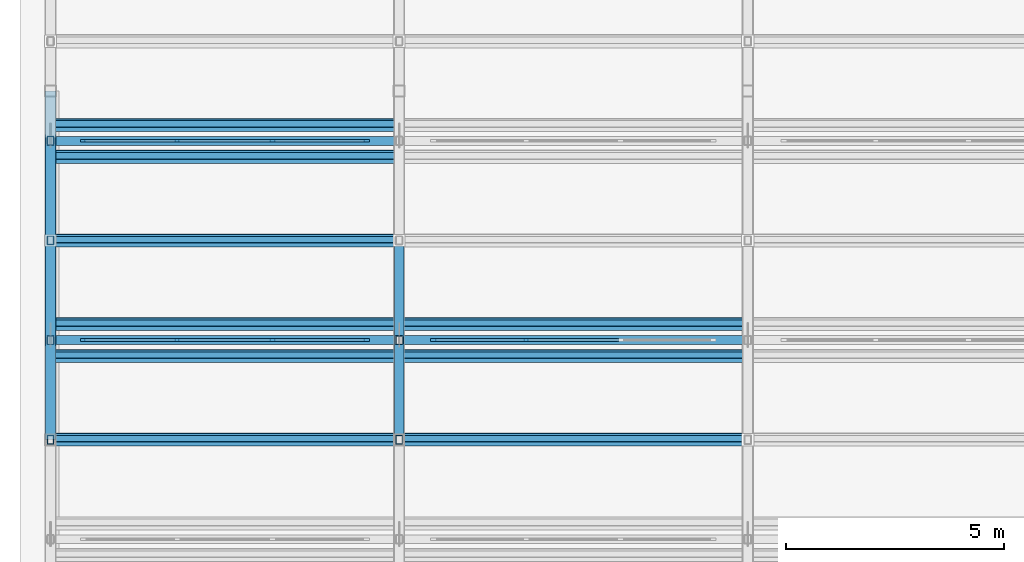
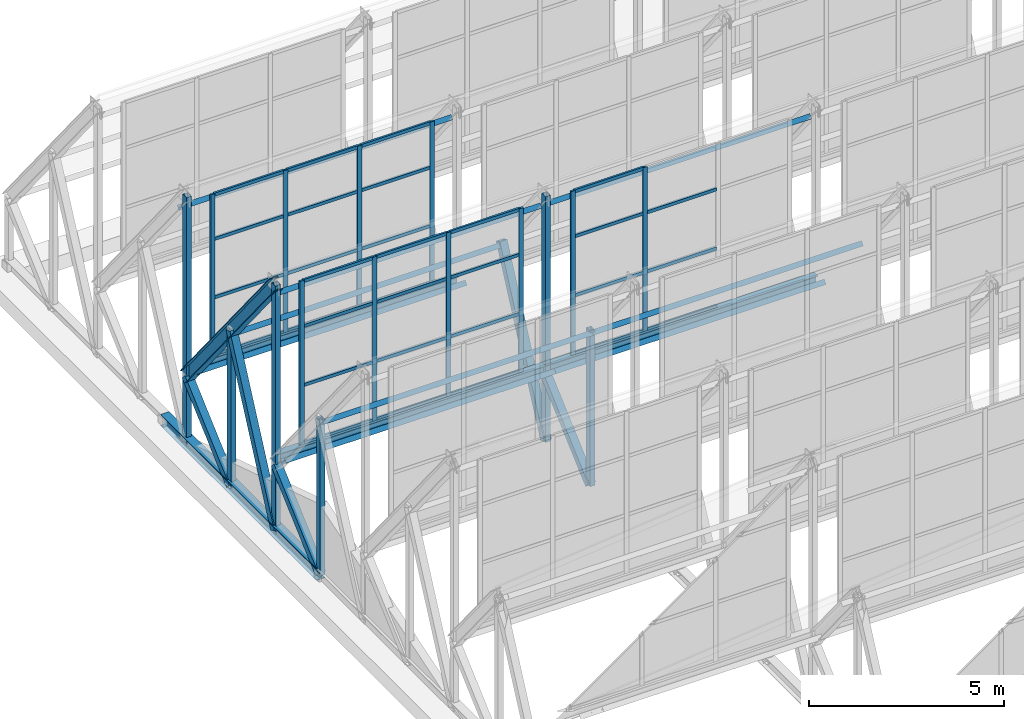
# One storey, part 13 of 34: 62 members, 4 beams, 3 elements without a shape of their own.
"""IFC4 building model written with IfcOpenShell, lengths in metres."""

import ifcopenshell
import ifcopenshell.guid

model = None  # the IFC model being written
_history = None  # IfcOwnerHistory: only IFC2X3 demands one
_inside = {}  # id of a spatial element -> (the spatial element, [elements in it])
_under = {}  # id of a project, library or spatial element -> (it, [spatial elements below it])
_declared = {}  # id of a project -> (the project, [libraries it declares])
_typed = {}  # id of a type object -> (the type object, [elements of that type])
_made_of = {}  # id of a material, layer set ... -> (it, [elements and type objects made of it])


def new_model(schema):
    """Start an empty IFC model of exactly this schema.

    Asked for "IFC4X3", IfcOpenShell would pick the latest addendum, in which some entities
    have other attributes; the version numbers below select the first issue.
    IFC2X3 requires an IfcOwnerHistory on every rooted entity: one is made here for all.
    """
    global model, _history
    if schema == "IFC4X3":
        model = ifcopenshell.file(schema_version=(4, 3, 0, 0))
    else:
        model = ifcopenshell.file(schema=schema)
    _inside.clear()
    _under.clear()
    _declared.clear()
    _typed.clear()
    _made_of.clear()
    _history = None
    if model.schema == "IFC2X3":
        org = make("IfcOrganization", Name="unknown")
        user = make(
            "IfcPersonAndOrganization",
            ThePerson=make("IfcPerson", FamilyName="unknown"),
            TheOrganization=org,
        )
        app = make(
            "IfcApplication",
            ApplicationDeveloper=org,
            Version="unknown",
            ApplicationFullName="unknown",
            ApplicationIdentifier="unknown",
        )
        _history = make(
            "IfcOwnerHistory",
            OwningUser=user,
            OwningApplication=app,
            ChangeAction="ADDED",
            CreationDate=0,
        )
    return model


def make(cls, **values):
    """One entity of the class cls with the attributes given. An attribute that is None is left unset."""
    return model.create_entity(
        cls, **{name: value for name, value in values.items() if value is not None}
    )


def rooted(cls, **values):
    """An entity with a GlobalId (a new one), such as an element, a storey or a relation."""
    return make(cls, GlobalId=ifcopenshell.guid.new(), OwnerHistory=_history, **values)


def si_unit(unit_type, name, prefix=None):
    """IfcSIUnit, for example si_unit("LENGTHUNIT", "METRE", prefix="MILLI")."""
    return make("IfcSIUnit", UnitType=unit_type, Prefix=prefix, Name=name)


def assignment(units):
    """IfcUnitAssignment: the units of a project."""
    return None if units is None else make("IfcUnitAssignment", Units=units)


def point(xyz):
    """IfcCartesianPoint."""
    return None if xyz is None else make("IfcCartesianPoint", Coordinates=xyz)


def direction(xyz):
    """IfcDirection."""
    return None if xyz is None else make("IfcDirection", DirectionRatios=xyz)


def frame(location, z_axis=None, x_axis=None):
    """IfcAxis2Placement3D, a coordinate frame: its origin and axes. An axis left out is left unset."""
    return make(
        "IfcAxis2Placement3D",
        Location=point(location),
        Axis=direction(z_axis),
        RefDirection=direction(x_axis),
    )


def frame_2d(location, x_axis=None):
    """IfcAxis2Placement2D, a coordinate frame in the plane: its origin and x axis."""
    return make(
        "IfcAxis2Placement2D", Location=point(location), RefDirection=direction(x_axis)
    )


def origin():
    """The frame at (0, 0, 0) with its axes left unset."""
    return frame((0.0, 0.0, 0.0))


def origin_2d():
    """The frame at (0, 0) in the plane with its x axis left unset."""
    return frame_2d((0.0, 0.0))


def place(relative_to, where):
    """IfcLocalPlacement: puts the frame where relative to a parent placement (None: the world)."""
    return make(
        "IfcLocalPlacement", PlacementRelTo=relative_to, RelativePlacement=where
    )


def context(
    kind, dimensions, precision=None, world=None, true_north=None, identifier=None
):
    """IfcGeometricRepresentationContext, for example the 3D "Model" context."""
    return make(
        "IfcGeometricRepresentationContext",
        ContextIdentifier=identifier,
        ContextType=kind,
        CoordinateSpaceDimension=dimensions,
        Precision=precision,
        WorldCoordinateSystem=world,
        TrueNorth=true_north,
    )


def subcontext(parent, identifier, kind, view, scale=None):
    """IfcGeometricRepresentationSubContext, for example "Body" below "Model"."""
    return make(
        "IfcGeometricRepresentationSubContext",
        ContextIdentifier=identifier,
        ContextType=kind,
        ParentContext=parent,
        TargetScale=scale,
        TargetView=view,
    )


def project(units=None, contexts=None):
    """IfcProject with its units and contexts."""
    return rooted(
        "IfcProject",
        Name="project",
        RepresentationContexts=contexts,
        UnitsInContext=assignment(units),
    )


def spatial(cls, under=None, at=None, **own):
    """A site, building, storey or space (cls), placed at a placement, below another one or the project."""
    s = rooted(cls, ObjectPlacement=at, **own)
    if under is not None:
        _under.setdefault(under.id(), (under, []))[1].append(s)
    return s


def profile(cls, at=None, kind="AREA", **sizes):
    """A parametric profile (cls). Its sizes go by their IFC names, for example OverallWidth=200.0."""
    return make(cls, ProfileType=kind, Position=at, **sizes)


def rectangle(**sizes):
    """IfcRectangleProfileDef."""
    return profile("IfcRectangleProfileDef", **sizes)


def hollow_rectangle(**sizes):
    """IfcRectangleHollowProfileDef."""
    return profile("IfcRectangleHollowProfileDef", **sizes)


def i_section(**sizes):
    """IfcIShapeProfileDef."""
    return profile("IfcIShapeProfileDef", **sizes)


def extrude(swept, where, along, depth):
    """IfcExtrudedAreaSolid: the profile swept, set in the frame where, extruded along a direction by depth."""
    return make(
        "IfcExtrudedAreaSolid",
        SweptArea=swept,
        Position=where,
        ExtrudedDirection=direction(along),
        Depth=depth,
    )


def shape(context_of_items, identifier, shape_type, items):
    """IfcShapeRepresentation: the items that make up one representation, for example the "Body"."""
    return make(
        "IfcShapeRepresentation",
        ContextOfItems=context_of_items,
        RepresentationIdentifier=identifier,
        RepresentationType=shape_type,
        Items=items,
    )


def material(Name=None, Category=None):
    """IfcMaterial."""
    return make("IfcMaterial", Name=Name, Category=Category)


def layer(
    of_material, thickness, ventilated=None, Name=None, Category=None, Priority=None
):
    """IfcMaterialLayer: one layer of a wall or slab, of a material (None: an air gap)."""
    return make(
        "IfcMaterialLayer",
        Material=of_material,
        LayerThickness=thickness,
        IsVentilated=ventilated,
        Name=Name,
        Category=Category,
        Priority=Priority,
    )


def layer_set(layers, Name=None):
    """IfcMaterialLayerSet."""
    return make("IfcMaterialLayerSet", MaterialLayers=layers, LayerSetName=Name)


def material_profile(
    of_material, cross_section, Name=None, Category=None, Priority=None
):
    """IfcMaterialProfile: a cross section and its material."""
    return make(
        "IfcMaterialProfile",
        Name=Name,
        Material=of_material,
        Profile=cross_section,
        Priority=Priority,
        Category=Category,
    )


def profile_set(profiles, Name=None, composite=None):
    """IfcMaterialProfileSet."""
    return make(
        "IfcMaterialProfileSet",
        Name=Name,
        MaterialProfiles=profiles,
        CompositeProfile=composite,
    )


def made_of(thing, what):
    """Note that an element or type object is made of a material, layer set ...; save() writes the relation."""
    if what is not None:
        _made_of.setdefault(what.id(), (what, []))[1].append(thing)
    return thing


def type_object(cls, material=None, **own):
    """A type object (cls), such as IfcWallType, which elements share."""
    return made_of(rooted(cls, **own), material)


def element(
    cls,
    number,
    at=None,
    inside=None,
    cuts=None,
    type_object=None,
    material=None,
    context=None,
    identifier="Body",
    shape_type=None,
    held_by="IfcProductDefinitionShape",
    body=None,
    shapes=None,
    **own,
):
    """One element of the class cls, such as IfcWall. Its Tag is "e" and its number.

    at: its placement. inside: the storey or other place that contains it. cuts: it is an
    opening in that element (IfcRelVoidsElement). A single representation is given by context,
    identifier, shape_type and body (its items); several are given by shapes. held_by: the class
    of the entity that holds the representations. save() writes the other relations.
    """
    e = rooted(cls, Tag="e%d" % number, ObjectPlacement=at, **own)
    if body is not None:
        shapes = [shape(context, identifier, shape_type, body)]
    if shapes is not None:
        e.Representation = make(held_by, Representations=shapes)
    if inside is not None:
        _inside.setdefault(inside.id(), (inside, []))[1].append(e)
    if cuts is not None:
        rooted(
            "IfcRelVoidsElement", RelatingBuildingElement=cuts, RelatedOpeningElement=e
        )
    if type_object is not None:
        _typed.setdefault(type_object.id(), (type_object, []))[1].append(e)
    return made_of(e, material)


def aggregate(whole, parts):
    """IfcRelAggregates: a whole, such as a stair, and the parts it consists of."""
    return rooted("IfcRelAggregates", RelatingObject=whole, RelatedObjects=parts)


def save(model, path):
    """Write the relations noted so far, then the file.

    IfcRelAggregates (storeys below a building ...), IfcRelContainedInSpatialStructure (elements
    in a storey), IfcRelDefinesByType, IfcRelAssociatesMaterial and IfcRelDeclares: one each for
    every whole, place, type object, material and project.
    """
    for whole, parts in _under.values():
        aggregate(whole, parts)
    for where, things in _inside.values():
        rooted(
            "IfcRelContainedInSpatialStructure",
            RelatedElements=things,
            RelatingStructure=where,
        )
    for kind, things in _typed.values():
        rooted("IfcRelDefinesByType", RelatedObjects=things, RelatingType=kind)
    for what, things in _made_of.values():
        rooted("IfcRelAssociatesMaterial", RelatedObjects=things, RelatingMaterial=what)
    for by, libraries in _declared.values():
        rooted("IfcRelDeclares", RelatingContext=by, RelatedDefinitions=libraries)
    model.write(path)


model = new_model("IFC4")

# Units and contexts
model_context = context("Model", 3, precision=1e-05, world=origin(), true_north=direction((0.0, 1.0)))
body_context = subcontext(model_context, "Body", "Model", "MODEL_VIEW")
ifc_project = project(units=[si_unit("LENGTHUNIT", "METRE"), si_unit("AREAUNIT", "SQUARE_METRE"), si_unit("VOLUMEUNIT", "CUBIC_METRE"), si_unit("PLANEANGLEUNIT", "RADIAN"), si_unit("MASSUNIT", "GRAM", prefix="KILO")], contexts=[model_context])

# Site, building, storey
site_placement = place(None, origin())
site = spatial("IfcSite", under=ifc_project, at=site_placement, CompositionType="ELEMENT")
building_placement = place(site_placement, origin())
building = spatial("IfcBuilding", under=site, at=building_placement, Name="Qorikala Patio Media Centre", CompositionType="ELEMENT")
storey_placement = place(building_placement, frame((0.0, 0.0, 32.699951171875)))
storey = spatial("IfcBuildingStorey", under=building, at=storey_placement, Name="RF", CompositionType="ELEMENT", Elevation=32.699951171875)

# Members
ifc_material_1 = material(Name="Steel S355", Category="steel")
ifc_material_profile_1 = material_profile(ifc_material_1, hollow_rectangle(XDim=0.219970703125, YDim=0.219970703125, WallThickness=0.010009765625, at=origin_2d()), Name="HSS220X220X10")
ifc_profile_set_1 = profile_set([ifc_material_profile_1], Name="Steel S355")
member_type_1 = type_object("IfcMemberType", Name="BRACE-HSS220", PredefinedType="BRACE", material=ifc_profile_set_1)
member_1_placement = place(storey_placement, frame((3.0, 19.0, 0.35009765625), z_axis=(0.0, 0.744431778243, 0.667698530432), x_axis=(-1.0, 0.0, 0.0)))
element("IfcMember", 1, at=member_1_placement, inside=storey, type_object=member_type_1, Name="SAW-V1 Truss 1 Bay 4 Web Diagonal 2", PredefinedType="BRACE", context=body_context, shape_type="SweptSolid", body=[
    extrude(hollow_rectangle(XDim=0.219970703125, YDim=0.219970703125, WallThickness=0.010009765625, at=origin_2d()), origin(), (0.0, 0.0, 1.0), 3.0703125),
])
member_2_placement = place(storey_placement, frame((3.0, 21.28564453125, 0.35009765625), z_axis=(0.0, 0.424508225487, 0.905424081022), x_axis=(-1.0, 0.0, 0.0)))
element("IfcMember", 2, at=member_2_placement, inside=storey, type_object=member_type_1, Name="SAW-V1 Truss 1 Bay 5 Web Diagonal 1", PredefinedType="BRACE", context=body_context, shape_type="SweptSolid", body=[
    extrude(hollow_rectangle(XDim=0.219970703125, YDim=0.219970703125, WallThickness=0.010009765625, at=origin_2d()), origin(), (0.0, 0.0, 1.0), 5.38427734375),
])
member_3_placement = place(storey_placement, frame((3.0, 23.5712890625, 0.35009765625), z_axis=(0.0, 0.744467225167, 0.667659007767), x_axis=(-1.0, 0.0, 0.0)))
element("IfcMember", 3, at=member_3_placement, inside=storey, type_object=member_type_1, Name="SAW-V1 Truss 1 Bay 5 Web Diagonal 2", PredefinedType="BRACE", context=body_context, shape_type="SweptSolid", body=[
    extrude(hollow_rectangle(XDim=0.219970703125, YDim=0.219970703125, WallThickness=0.010009765625, at=origin_2d()), origin(), (0.0, 0.0, 1.0), 3.070556640625),
])
member_4_placement = place(storey_placement, frame((11.0, 19.0, 0.35009765625), z_axis=(0.0, 0.744431778243, 0.667698530432), x_axis=(-1.0, 0.0, 0.0)))
element("IfcMember", 4, at=member_4_placement, inside=storey, type_object=member_type_1, Name="SAW-V1 Truss 2 Bay 4 Web Diagonal 2", PredefinedType="BRACE", context=body_context, shape_type="SweptSolid", body=[
    extrude(hollow_rectangle(XDim=0.219970703125, YDim=0.219970703125, WallThickness=0.010009765625, at=origin_2d()), origin(), (0.0, 0.0, 1.0), 3.0703125),
])
member_5_placement = place(storey_placement, frame((11.0, 21.28564453125, 0.35009765625), z_axis=(0.0, 0.424508225487, 0.905424081022), x_axis=(-1.0, 0.0, 0.0)))
element("IfcMember", 5, at=member_5_placement, inside=storey, type_object=member_type_1, Name="SAW-V1 Truss 2 Bay 5 Web Diagonal 1", PredefinedType="BRACE", context=body_context, shape_type="SweptSolid", body=[
    extrude(hollow_rectangle(XDim=0.219970703125, YDim=0.219970703125, WallThickness=0.010009765625, at=origin_2d()), origin(), (0.0, 0.0, 1.0), 5.38427734375),
])
ifc_material_profile_2 = material_profile(ifc_material_1, i_section(OverallWidth=0.257080078125, OverallDepth=0.363037109375, WebThickness=0.012939453125, FlangeThickness=0.021728515625, at=origin_2d()), Name="W360X122")
ifc_profile_set_2 = profile_set([ifc_material_profile_2], Name="Steel S355")
member_type_2 = type_object("IfcMemberType", Name="CHORD-W360X122", PredefinedType="CHORD", material=ifc_profile_set_2)
member_6_placement = place(storey_placement, frame((3.0, 21.28564453125, 8.050048828125), z_axis=(0.0, 0.629015570493, -0.777392701327), x_axis=(-1.0, 0.0, 0.0)))
element("IfcMember", 6, at=member_6_placement, inside=storey, type_object=member_type_2, Name="SAW-V1 Truss 1 Bay 5 Sloped Top Chord", PredefinedType="CHORD", context=body_context, shape_type="SweptSolid", body=[
    extrude(i_section(OverallWidth=0.257080078125, OverallDepth=0.363037109375, WebThickness=0.012939453125, FlangeThickness=0.021728515625, at=origin_2d()), origin(), (0.0, 0.0, 1.0), 7.267822265625),
])

# Curtain wall, members
ifc_material_2 = material(Name="Bronze Anodised Aluminium and Low-E Glass", Category="aluminium")
ifc_layer_1 = layer(ifc_material_2, 0.159912109375)
ifc_layer_set_1 = layer_set([ifc_layer_1], Name="Bronze Anodised Aluminium and Low-E Glass")
curtain_wall_type_1 = type_object("IfcCurtainWallType", Name="CW-SAW-656X514", PredefinedType="USERDEFINED", material=ifc_layer_set_1)
curtain_wall_1_placement = place(storey_placement, origin())
curtain_wall_1 = element("IfcCurtainWall", 7, at=curtain_wall_1_placement, inside=storey, type_object=curtain_wall_type_1, Name="RF Sawtooth Glazing 127", ObjectType="SAWTOOTH GLAZING", PredefinedType="USERDEFINED")
ifc_material_3 = material(Name="Bronze Anodised Aluminium", Category="aluminium")
ifc_material_profile_3 = material_profile(ifc_material_3, rectangle(XDim=0.06005859375, YDim=0.1298828125, at=origin_2d()), Name="ALU MULLION 60x130")
ifc_profile_set_3 = profile_set([ifc_material_profile_3], Name="Bronze Anodised Aluminium")
member_type_3 = type_object("IfcMemberType", Name="CWM-60X130", PredefinedType="MULLION", material=ifc_profile_set_3)
member_7_placement = place(storey_placement, frame((3.75, 21.28564453125, 2.75), z_axis=(0.0, 0.0, 1.0), x_axis=(0.0, 1.0, 0.0)))
member_7 = element("IfcMember", 8, at=member_7_placement, type_object=member_type_3, Name="CWS656514 mullion 1", PredefinedType="MULLION", context=body_context, shape_type="SweptSolid", body=[
    extrude(rectangle(XDim=0.06005859375, YDim=0.1298828125, at=origin_2d()), origin(), (0.0, 0.0, 1.0), 5.14013671875),
])
member_8_placement = place(storey_placement, frame((5.90673828125, 21.28564453125, 2.75), z_axis=(0.0, 0.0, 1.0), x_axis=(0.0, 1.0, 0.0)))
member_8 = element("IfcMember", 9, at=member_8_placement, type_object=member_type_3, Name="CWS656514 mullion 2", PredefinedType="MULLION", context=body_context, shape_type="SweptSolid", body=[
    extrude(rectangle(XDim=0.06005859375, YDim=0.1298828125, at=origin_2d()), origin(), (0.0, 0.0, 1.0), 5.14013671875),
])
member_9_placement = place(storey_placement, frame((8.09326171875, 21.28564453125, 2.75), z_axis=(0.0, 0.0, 1.0), x_axis=(0.0, 1.0, 0.0)))
member_9 = element("IfcMember", 10, at=member_9_placement, type_object=member_type_3, Name="CWS656514 mullion 3", PredefinedType="MULLION", context=body_context, shape_type="SweptSolid", body=[
    extrude(rectangle(XDim=0.06005859375, YDim=0.1298828125, at=origin_2d()), origin(), (0.0, 0.0, 1.0), 5.14013671875),
])
member_10_placement = place(storey_placement, frame((10.25, 21.28564453125, 2.75), z_axis=(0.0, 0.0, 1.0), x_axis=(0.0, 1.0, 0.0)))
member_10 = element("IfcMember", 11, at=member_10_placement, type_object=member_type_3, Name="CWS656514 mullion 4", PredefinedType="MULLION", context=body_context, shape_type="SweptSolid", body=[
    extrude(rectangle(XDim=0.06005859375, YDim=0.1298828125, at=origin_2d()), origin(), (0.0, 0.0, 1.0), 5.14013671875),
])

ifc_layer_2 = layer(ifc_material_2, 0.159912109375)
ifc_layer_set_2 = layer_set([ifc_layer_2], Name="Bronze Anodised Aluminium and Low-E Glass")
curtain_wall_type_2 = type_object("IfcCurtainWallType", Name="CW-SAW-648X514", PredefinedType="USERDEFINED", material=ifc_layer_set_2)
curtain_wall_2_placement = place(storey_placement, origin())
curtain_wall_2 = element("IfcCurtainWall", 12, at=curtain_wall_2_placement, inside=storey, type_object=curtain_wall_type_2, Name="RF Sawtooth Glazing 128", ObjectType="SAWTOOTH GLAZING", PredefinedType="USERDEFINED")
member_11_placement = place(storey_placement, frame((11.7900390625, 21.28564453125, 2.75), z_axis=(0.0, 0.0, 1.0), x_axis=(0.0, 1.0, 0.0)))
member_11 = element("IfcMember", 13, at=member_11_placement, type_object=member_type_3, Name="CWS648514 mullion 1", PredefinedType="MULLION", context=body_context, shape_type="SweptSolid", body=[
    extrude(rectangle(XDim=0.06005859375, YDim=0.1298828125, at=origin_2d()), origin(), (0.0, 0.0, 1.0), 5.14013671875),
])
member_12_placement = place(storey_placement, frame((13.919921875, 21.28564453125, 2.75), z_axis=(0.0, 0.0, 1.0), x_axis=(0.0, 1.0, 0.0)))
member_12 = element("IfcMember", 14, at=member_12_placement, type_object=member_type_3, Name="CWS648514 mullion 2", PredefinedType="MULLION", context=body_context, shape_type="SweptSolid", body=[
    extrude(rectangle(XDim=0.06005859375, YDim=0.1298828125, at=origin_2d()), origin(), (0.0, 0.0, 1.0), 5.14013671875),
])

ifc_layer_3 = layer(ifc_material_2, 0.159912109375)
ifc_layer_set_3 = layer_set([ifc_layer_3], Name="Bronze Anodised Aluminium and Low-E Glass")
curtain_wall_type_3 = type_object("IfcCurtainWallType", Name="CW-SAW-656X508", PredefinedType="USERDEFINED", material=ifc_layer_set_3)
curtain_wall_3_placement = place(storey_placement, origin())
curtain_wall_3 = element("IfcCurtainWall", 15, at=curtain_wall_3_placement, inside=storey, type_object=curtain_wall_type_3, Name="RF Sawtooth Glazing 132", ObjectType="SAWTOOTH GLAZING", PredefinedType="USERDEFINED")
member_13_placement = place(storey_placement, frame((3.75, 25.857177734375, 2.75), z_axis=(0.0, 0.0, 1.0), x_axis=(0.0, 1.0, 0.0)))
member_13 = element("IfcMember", 16, at=member_13_placement, type_object=member_type_3, Name="CWS656508 mullion 1", PredefinedType="MULLION", context=body_context, shape_type="SweptSolid", body=[
    extrude(rectangle(XDim=0.06005859375, YDim=0.1298828125, at=origin_2d()), origin(), (0.0, 0.0, 1.0), 5.080078125),
])
member_14_placement = place(storey_placement, frame((5.90673828125, 25.857177734375, 2.75), z_axis=(0.0, 0.0, 1.0), x_axis=(0.0, 1.0, 0.0)))
member_14 = element("IfcMember", 17, at=member_14_placement, type_object=member_type_3, Name="CWS656508 mullion 2", PredefinedType="MULLION", context=body_context, shape_type="SweptSolid", body=[
    extrude(rectangle(XDim=0.06005859375, YDim=0.1298828125, at=origin_2d()), origin(), (0.0, 0.0, 1.0), 5.080078125),
])
member_15_placement = place(storey_placement, frame((8.09326171875, 25.857177734375, 2.75), z_axis=(0.0, 0.0, 1.0), x_axis=(0.0, 1.0, 0.0)))
member_15 = element("IfcMember", 18, at=member_15_placement, type_object=member_type_3, Name="CWS656508 mullion 3", PredefinedType="MULLION", context=body_context, shape_type="SweptSolid", body=[
    extrude(rectangle(XDim=0.06005859375, YDim=0.1298828125, at=origin_2d()), origin(), (0.0, 0.0, 1.0), 5.080078125),
])
member_16_placement = place(storey_placement, frame((10.25, 25.857177734375, 2.75), z_axis=(0.0, 0.0, 1.0), x_axis=(0.0, 1.0, 0.0)))
member_16 = element("IfcMember", 19, at=member_16_placement, type_object=member_type_3, Name="CWS656508 mullion 4", PredefinedType="MULLION", context=body_context, shape_type="SweptSolid", body=[
    extrude(rectangle(XDim=0.06005859375, YDim=0.1298828125, at=origin_2d()), origin(), (0.0, 0.0, 1.0), 5.080078125),
])

# Member
ifc_material_profile_4 = material_profile(ifc_material_3, rectangle(XDim=0.06005859375, YDim=0.10009765625, at=origin_2d()), Name="ALU TRANSOM 60x100")
ifc_profile_set_4 = profile_set([ifc_material_profile_4], Name="Bronze Anodised Aluminium")
member_type_4 = type_object("IfcMemberType", Name="CWT-60X100", PredefinedType="USERDEFINED", material=ifc_profile_set_4)
member_17_placement = place(storey_placement, frame((3.780029296875, 21.28564453125, 2.780029296875), z_axis=(1.0, 0.0, 0.0), x_axis=(0.0, 1.0, 0.0)))
member_17 = element("IfcMember", 20, at=member_17_placement, type_object=member_type_4, Name="CWS656514 transom 1.1", ObjectType="TRANSOM", PredefinedType="USERDEFINED", context=body_context, shape_type="SweptSolid", body=[
    extrude(rectangle(XDim=0.06005859375, YDim=0.10009765625, at=origin_2d()), origin(), (0.0, 0.0, 1.0), 2.0966796875),
])

member_18_placement = place(storey_placement, frame((3.780029296875, 21.28564453125, 4.600341796875), z_axis=(1.0, 0.0, 0.0), x_axis=(0.0, 1.0, 0.0)))
member_18 = element("IfcMember", 21, at=member_18_placement, type_object=member_type_4, Name="CWS656514 transom 1.2", ObjectType="TRANSOM", PredefinedType="USERDEFINED", context=body_context, shape_type="SweptSolid", body=[
    extrude(rectangle(XDim=0.06005859375, YDim=0.10009765625, at=origin_2d()), origin(), (0.0, 0.0, 1.0), 2.0966796875),
])

member_19_placement = place(storey_placement, frame((3.780029296875, 21.28564453125, 6.450927734375), z_axis=(1.0, 0.0, 0.0), x_axis=(0.0, 1.0, 0.0)))
member_19 = element("IfcMember", 22, at=member_19_placement, type_object=member_type_4, Name="CWS656514 transom 1.3", ObjectType="TRANSOM", PredefinedType="USERDEFINED", context=body_context, shape_type="SweptSolid", body=[
    extrude(rectangle(XDim=0.06005859375, YDim=0.10009765625, at=origin_2d()), origin(), (0.0, 0.0, 1.0), 2.0966796875),
])

member_20_placement = place(storey_placement, frame((3.780029296875, 21.28564453125, 7.860107421875), z_axis=(1.0, 0.0, 0.0), x_axis=(0.0, 1.0, 0.0)))
member_20 = element("IfcMember", 23, at=member_20_placement, type_object=member_type_4, Name="CWS656514 transom 1.4", ObjectType="TRANSOM", PredefinedType="USERDEFINED", context=body_context, shape_type="SweptSolid", body=[
    extrude(rectangle(XDim=0.06005859375, YDim=0.10009765625, at=origin_2d()), origin(), (0.0, 0.0, 1.0), 2.0966796875),
])

member_21_placement = place(storey_placement, frame((5.936767578125, 21.28564453125, 2.780029296875), z_axis=(1.0, 0.0, 0.0), x_axis=(0.0, 1.0, 0.0)))
member_21 = element("IfcMember", 24, at=member_21_placement, type_object=member_type_4, Name="CWS656514 transom 2.1", ObjectType="TRANSOM", PredefinedType="USERDEFINED", context=body_context, shape_type="SweptSolid", body=[
    extrude(rectangle(XDim=0.06005859375, YDim=0.10009765625, at=origin_2d()), origin(), (0.0, 0.0, 1.0), 2.12646484375),
])

member_22_placement = place(storey_placement, frame((5.936767578125, 21.28564453125, 4.600341796875), z_axis=(1.0, 0.0, 0.0), x_axis=(0.0, 1.0, 0.0)))
member_22 = element("IfcMember", 25, at=member_22_placement, type_object=member_type_4, Name="CWS656514 transom 2.2", ObjectType="TRANSOM", PredefinedType="USERDEFINED", context=body_context, shape_type="SweptSolid", body=[
    extrude(rectangle(XDim=0.06005859375, YDim=0.10009765625, at=origin_2d()), origin(), (0.0, 0.0, 1.0), 2.12646484375),
])

member_23_placement = place(storey_placement, frame((5.936767578125, 21.28564453125, 6.450927734375), z_axis=(1.0, 0.0, 0.0), x_axis=(0.0, 1.0, 0.0)))
member_23 = element("IfcMember", 26, at=member_23_placement, type_object=member_type_4, Name="CWS656514 transom 2.3", ObjectType="TRANSOM", PredefinedType="USERDEFINED", context=body_context, shape_type="SweptSolid", body=[
    extrude(rectangle(XDim=0.06005859375, YDim=0.10009765625, at=origin_2d()), origin(), (0.0, 0.0, 1.0), 2.12646484375),
])

member_24_placement = place(storey_placement, frame((5.936767578125, 21.28564453125, 7.860107421875), z_axis=(1.0, 0.0, 0.0), x_axis=(0.0, 1.0, 0.0)))
member_24 = element("IfcMember", 27, at=member_24_placement, type_object=member_type_4, Name="CWS656514 transom 2.4", ObjectType="TRANSOM", PredefinedType="USERDEFINED", context=body_context, shape_type="SweptSolid", body=[
    extrude(rectangle(XDim=0.06005859375, YDim=0.10009765625, at=origin_2d()), origin(), (0.0, 0.0, 1.0), 2.12646484375),
])

member_25_placement = place(storey_placement, frame((8.123291015625, 21.28564453125, 2.780029296875), z_axis=(1.0, 0.0, 0.0), x_axis=(0.0, 1.0, 0.0)))
member_25 = element("IfcMember", 28, at=member_25_placement, type_object=member_type_4, Name="CWS656514 transom 3.1", ObjectType="TRANSOM", PredefinedType="USERDEFINED", context=body_context, shape_type="SweptSolid", body=[
    extrude(rectangle(XDim=0.06005859375, YDim=0.10009765625, at=origin_2d()), origin(), (0.0, 0.0, 1.0), 2.0966796875),
])

member_26_placement = place(storey_placement, frame((8.123291015625, 21.28564453125, 4.600341796875), z_axis=(1.0, 0.0, 0.0), x_axis=(0.0, 1.0, 0.0)))
member_26 = element("IfcMember", 29, at=member_26_placement, type_object=member_type_4, Name="CWS656514 transom 3.2", ObjectType="TRANSOM", PredefinedType="USERDEFINED", context=body_context, shape_type="SweptSolid", body=[
    extrude(rectangle(XDim=0.06005859375, YDim=0.10009765625, at=origin_2d()), origin(), (0.0, 0.0, 1.0), 2.0966796875),
])

member_27_placement = place(storey_placement, frame((8.123291015625, 21.28564453125, 6.450927734375), z_axis=(1.0, 0.0, 0.0), x_axis=(0.0, 1.0, 0.0)))
member_27 = element("IfcMember", 30, at=member_27_placement, type_object=member_type_4, Name="CWS656514 transom 3.3", ObjectType="TRANSOM", PredefinedType="USERDEFINED", context=body_context, shape_type="SweptSolid", body=[
    extrude(rectangle(XDim=0.06005859375, YDim=0.10009765625, at=origin_2d()), origin(), (0.0, 0.0, 1.0), 2.0966796875),
])

member_28_placement = place(storey_placement, frame((8.123291015625, 21.28564453125, 7.860107421875), z_axis=(1.0, 0.0, 0.0), x_axis=(0.0, 1.0, 0.0)))
member_28 = element("IfcMember", 31, at=member_28_placement, type_object=member_type_4, Name="CWS656514 transom 3.4", ObjectType="TRANSOM", PredefinedType="USERDEFINED", context=body_context, shape_type="SweptSolid", body=[
    extrude(rectangle(XDim=0.06005859375, YDim=0.10009765625, at=origin_2d()), origin(), (0.0, 0.0, 1.0), 2.0966796875),
])

aggregate(curtain_wall_1, [member_7, member_8, member_9, member_10, member_17, member_18, member_19, member_20, member_21, member_22, member_23, member_24, member_25, member_26, member_27, member_28])

member_29_placement = place(storey_placement, frame((11.820068359375, 21.28564453125, 2.780029296875), z_axis=(1.0, 0.0, 0.0), x_axis=(0.0, 1.0, 0.0)))
member_29 = element("IfcMember", 32, at=member_29_placement, type_object=member_type_4, Name="CWS648514 transom 1.1", ObjectType="TRANSOM", PredefinedType="USERDEFINED", context=body_context, shape_type="SweptSolid", body=[
    extrude(rectangle(XDim=0.06005859375, YDim=0.10009765625, at=origin_2d()), origin(), (0.0, 0.0, 1.0), 2.06982421875),
])

member_30_placement = place(storey_placement, frame((11.820068359375, 21.28564453125, 4.600341796875), z_axis=(1.0, 0.0, 0.0), x_axis=(0.0, 1.0, 0.0)))
member_30 = element("IfcMember", 33, at=member_30_placement, type_object=member_type_4, Name="CWS648514 transom 1.2", ObjectType="TRANSOM", PredefinedType="USERDEFINED", context=body_context, shape_type="SweptSolid", body=[
    extrude(rectangle(XDim=0.06005859375, YDim=0.10009765625, at=origin_2d()), origin(), (0.0, 0.0, 1.0), 2.06982421875),
])

member_31_placement = place(storey_placement, frame((11.820068359375, 21.28564453125, 6.450927734375), z_axis=(1.0, 0.0, 0.0), x_axis=(0.0, 1.0, 0.0)))
member_31 = element("IfcMember", 34, at=member_31_placement, type_object=member_type_4, Name="CWS648514 transom 1.3", ObjectType="TRANSOM", PredefinedType="USERDEFINED", context=body_context, shape_type="SweptSolid", body=[
    extrude(rectangle(XDim=0.06005859375, YDim=0.10009765625, at=origin_2d()), origin(), (0.0, 0.0, 1.0), 2.06982421875),
])

member_32_placement = place(storey_placement, frame((11.820068359375, 21.28564453125, 7.860107421875), z_axis=(1.0, 0.0, 0.0), x_axis=(0.0, 1.0, 0.0)))
member_32 = element("IfcMember", 35, at=member_32_placement, type_object=member_type_4, Name="CWS648514 transom 1.4", ObjectType="TRANSOM", PredefinedType="USERDEFINED", context=body_context, shape_type="SweptSolid", body=[
    extrude(rectangle(XDim=0.06005859375, YDim=0.10009765625, at=origin_2d()), origin(), (0.0, 0.0, 1.0), 2.06982421875),
])

member_33_placement = place(storey_placement, frame((13.949951171875, 21.28564453125, 2.780029296875), z_axis=(1.0, 0.0, 0.0), x_axis=(0.0, 1.0, 0.0)))
member_33 = element("IfcMember", 36, at=member_33_placement, type_object=member_type_4, Name="CWS648514 transom 2.1", ObjectType="TRANSOM", PredefinedType="USERDEFINED", context=body_context, shape_type="SweptSolid", body=[
    extrude(rectangle(XDim=0.06005859375, YDim=0.10009765625, at=origin_2d()), origin(), (0.0, 0.0, 1.0), 2.10009765625),
])

member_34_placement = place(storey_placement, frame((13.949951171875, 21.28564453125, 4.600341796875), z_axis=(1.0, 0.0, 0.0), x_axis=(0.0, 1.0, 0.0)))
member_34 = element("IfcMember", 37, at=member_34_placement, type_object=member_type_4, Name="CWS648514 transom 2.2", ObjectType="TRANSOM", PredefinedType="USERDEFINED", context=body_context, shape_type="SweptSolid", body=[
    extrude(rectangle(XDim=0.06005859375, YDim=0.10009765625, at=origin_2d()), origin(), (0.0, 0.0, 1.0), 2.10009765625),
])

member_35_placement = place(storey_placement, frame((13.949951171875, 21.28564453125, 6.450927734375), z_axis=(1.0, 0.0, 0.0), x_axis=(0.0, 1.0, 0.0)))
member_35 = element("IfcMember", 38, at=member_35_placement, type_object=member_type_4, Name="CWS648514 transom 2.3", ObjectType="TRANSOM", PredefinedType="USERDEFINED", context=body_context, shape_type="SweptSolid", body=[
    extrude(rectangle(XDim=0.06005859375, YDim=0.10009765625, at=origin_2d()), origin(), (0.0, 0.0, 1.0), 2.10009765625),
])

aggregate(curtain_wall_2, [member_11, member_12, member_29, member_30, member_31, member_32, member_33, member_34, member_35])

member_36_placement = place(storey_placement, frame((3.780029296875, 25.857177734375, 2.780029296875), z_axis=(1.0, 0.0, 0.0), x_axis=(0.0, 1.0, 0.0)))
member_36 = element("IfcMember", 39, at=member_36_placement, type_object=member_type_4, Name="CWS656508 transom 1.1", ObjectType="TRANSOM", PredefinedType="USERDEFINED", context=body_context, shape_type="SweptSolid", body=[
    extrude(rectangle(XDim=0.06005859375, YDim=0.10009765625, at=origin_2d()), origin(), (0.0, 0.0, 1.0), 2.0966796875),
])

member_37_placement = place(storey_placement, frame((3.780029296875, 25.857177734375, 4.578857421875), z_axis=(1.0, 0.0, 0.0), x_axis=(0.0, 1.0, 0.0)))
member_37 = element("IfcMember", 40, at=member_37_placement, type_object=member_type_4, Name="CWS656508 transom 1.2", ObjectType="TRANSOM", PredefinedType="USERDEFINED", context=body_context, shape_type="SweptSolid", body=[
    extrude(rectangle(XDim=0.06005859375, YDim=0.10009765625, at=origin_2d()), origin(), (0.0, 0.0, 1.0), 2.0966796875),
])

member_38_placement = place(storey_placement, frame((3.780029296875, 25.857177734375, 6.40771484375), z_axis=(1.0, 0.0, 0.0), x_axis=(0.0, 1.0, 0.0)))
member_38 = element("IfcMember", 41, at=member_38_placement, type_object=member_type_4, Name="CWS656508 transom 1.3", ObjectType="TRANSOM", PredefinedType="USERDEFINED", context=body_context, shape_type="SweptSolid", body=[
    extrude(rectangle(XDim=0.06005859375, YDim=0.10009765625, at=origin_2d()), origin(), (0.0, 0.0, 1.0), 2.0966796875),
])

member_39_placement = place(storey_placement, frame((3.780029296875, 25.857177734375, 7.800048828125), z_axis=(1.0, 0.0, 0.0), x_axis=(0.0, 1.0, 0.0)))
member_39 = element("IfcMember", 42, at=member_39_placement, type_object=member_type_4, Name="CWS656508 transom 1.4", ObjectType="TRANSOM", PredefinedType="USERDEFINED", context=body_context, shape_type="SweptSolid", body=[
    extrude(rectangle(XDim=0.06005859375, YDim=0.10009765625, at=origin_2d()), origin(), (0.0, 0.0, 1.0), 2.0966796875),
])

member_40_placement = place(storey_placement, frame((5.936767578125, 25.857177734375, 2.780029296875), z_axis=(1.0, 0.0, 0.0), x_axis=(0.0, 1.0, 0.0)))
member_40 = element("IfcMember", 43, at=member_40_placement, type_object=member_type_4, Name="CWS656508 transom 2.1", ObjectType="TRANSOM", PredefinedType="USERDEFINED", context=body_context, shape_type="SweptSolid", body=[
    extrude(rectangle(XDim=0.06005859375, YDim=0.10009765625, at=origin_2d()), origin(), (0.0, 0.0, 1.0), 2.12646484375),
])

member_41_placement = place(storey_placement, frame((5.936767578125, 25.857177734375, 4.578857421875), z_axis=(1.0, 0.0, 0.0), x_axis=(0.0, 1.0, 0.0)))
member_41 = element("IfcMember", 44, at=member_41_placement, type_object=member_type_4, Name="CWS656508 transom 2.2", ObjectType="TRANSOM", PredefinedType="USERDEFINED", context=body_context, shape_type="SweptSolid", body=[
    extrude(rectangle(XDim=0.06005859375, YDim=0.10009765625, at=origin_2d()), origin(), (0.0, 0.0, 1.0), 2.12646484375),
])

member_42_placement = place(storey_placement, frame((5.936767578125, 25.857177734375, 6.40771484375), z_axis=(1.0, 0.0, 0.0), x_axis=(0.0, 1.0, 0.0)))
member_42 = element("IfcMember", 45, at=member_42_placement, type_object=member_type_4, Name="CWS656508 transom 2.3", ObjectType="TRANSOM", PredefinedType="USERDEFINED", context=body_context, shape_type="SweptSolid", body=[
    extrude(rectangle(XDim=0.06005859375, YDim=0.10009765625, at=origin_2d()), origin(), (0.0, 0.0, 1.0), 2.12646484375),
])

member_43_placement = place(storey_placement, frame((5.936767578125, 25.857177734375, 7.800048828125), z_axis=(1.0, 0.0, 0.0), x_axis=(0.0, 1.0, 0.0)))
member_43 = element("IfcMember", 46, at=member_43_placement, type_object=member_type_4, Name="CWS656508 transom 2.4", ObjectType="TRANSOM", PredefinedType="USERDEFINED", context=body_context, shape_type="SweptSolid", body=[
    extrude(rectangle(XDim=0.06005859375, YDim=0.10009765625, at=origin_2d()), origin(), (0.0, 0.0, 1.0), 2.12646484375),
])

member_44_placement = place(storey_placement, frame((8.123291015625, 25.857177734375, 2.780029296875), z_axis=(1.0, 0.0, 0.0), x_axis=(0.0, 1.0, 0.0)))
member_44 = element("IfcMember", 47, at=member_44_placement, type_object=member_type_4, Name="CWS656508 transom 3.1", ObjectType="TRANSOM", PredefinedType="USERDEFINED", context=body_context, shape_type="SweptSolid", body=[
    extrude(rectangle(XDim=0.06005859375, YDim=0.10009765625, at=origin_2d()), origin(), (0.0, 0.0, 1.0), 2.0966796875),
])

member_45_placement = place(storey_placement, frame((8.123291015625, 25.857177734375, 4.578857421875), z_axis=(1.0, 0.0, 0.0), x_axis=(0.0, 1.0, 0.0)))
member_45 = element("IfcMember", 48, at=member_45_placement, type_object=member_type_4, Name="CWS656508 transom 3.2", ObjectType="TRANSOM", PredefinedType="USERDEFINED", context=body_context, shape_type="SweptSolid", body=[
    extrude(rectangle(XDim=0.06005859375, YDim=0.10009765625, at=origin_2d()), origin(), (0.0, 0.0, 1.0), 2.0966796875),
])

member_46_placement = place(storey_placement, frame((8.123291015625, 25.857177734375, 6.40771484375), z_axis=(1.0, 0.0, 0.0), x_axis=(0.0, 1.0, 0.0)))
member_46 = element("IfcMember", 49, at=member_46_placement, type_object=member_type_4, Name="CWS656508 transom 3.3", ObjectType="TRANSOM", PredefinedType="USERDEFINED", context=body_context, shape_type="SweptSolid", body=[
    extrude(rectangle(XDim=0.06005859375, YDim=0.10009765625, at=origin_2d()), origin(), (0.0, 0.0, 1.0), 2.0966796875),
])

member_47_placement = place(storey_placement, frame((8.123291015625, 25.857177734375, 7.800048828125), z_axis=(1.0, 0.0, 0.0), x_axis=(0.0, 1.0, 0.0)))
member_47 = element("IfcMember", 50, at=member_47_placement, type_object=member_type_4, Name="CWS656508 transom 3.4", ObjectType="TRANSOM", PredefinedType="USERDEFINED", context=body_context, shape_type="SweptSolid", body=[
    extrude(rectangle(XDim=0.06005859375, YDim=0.10009765625, at=origin_2d()), origin(), (0.0, 0.0, 1.0), 2.0966796875),
])

aggregate(curtain_wall_3, [member_13, member_14, member_15, member_16, member_36, member_37, member_38, member_39, member_40, member_41, member_42, member_43, member_44, member_45, member_46, member_47])

# Members
ifc_material_profile_5 = material_profile(ifc_material_1, i_section(OverallWidth=0.14794921875, OverallDepth=0.26611328125, WebThickness=0.007568359375, FlangeThickness=0.012939453125, at=origin_2d()), Name="W250X45")
ifc_profile_set_5 = profile_set([ifc_material_profile_5], Name="Steel S355")
member_type_5 = type_object("IfcMemberType", Name="PURLIN-W250X45", PredefinedType="PURLIN", material=ifc_profile_set_5)
for number, where, z_axis, x_axis, name in (
    (51, (3.0, 19.0, 5.077392578125), (1.0, 0.0, 0.0), (0.0, 0.62899480571, 0.777409502379), "SAW-V1 Bay 4 Roof Purlin"),
    (52, (11.0, 19.0, 5.077392578125), (1.0, 0.0, 0.0), (0.0, 0.62899480571, 0.777409502379), "SAW-V1 Bay 4 Roof Purlin"),
    (53, (3.0, 20.919921875, 2.704345703125), (1.0, 0.0, 0.0), (0.0, 0.62899480571, 0.777409502379), "SAW-V1 Bay 4 Roof Purlin"),
    (54, (11.0, 20.919921875, 2.704345703125), (1.0, 0.0, 0.0), (0.0, 0.62899480571, 0.777409502379), "SAW-V1 Bay 4 Roof Purlin"),
    (55, (3.0, 21.6513671875, 7.450439453125), (1.0, 0.0, 0.0), (0.0, 0.62899480571, 0.777409502379), "SAW-V1 Bay 5 Roof Purlin"),
    (56, (11.0, 21.6513671875, 7.450439453125), (1.0, 0.0, 0.0), (0.0, 0.62899480571, 0.777409502379), "SAW-V1 Bay 5 Roof Purlin"),
    (57, (3.0, 23.5712890625, 5.077392578125), (1.0, 0.0, 0.0), (0.0, 0.62899480571, 0.777409502379), "SAW-V1 Bay 5 Roof Purlin"),
    (58, (3.0, 25.491455078125, 2.704345703125), (1.0, 0.0, 0.0), (0.0, 0.62899480571, 0.777409502379), "SAW-V1 Bay 5 Roof Purlin"),
    (59, (3.0, 26.222900390625, 7.450439453125), (1.0, 0.0, 0.0), (0.0, 0.62899480571, 0.777409502379), "SAW-V1 Bay 6 Roof Purlin"),
):
    element("IfcMember", number, at=place(storey_placement, frame(where, z_axis=z_axis, x_axis=x_axis)), inside=storey, type_object=member_type_5, Name=name, PredefinedType="PURLIN", context=body_context, shape_type="SweptSolid", body=[
        extrude(i_section(OverallWidth=0.14794921875, OverallDepth=0.26611328125, WebThickness=0.007568359375, FlangeThickness=0.012939453125, at=origin_2d()), origin(), (0.0, 0.0, 1.0), 8.0),
    ])

# Beams
ifc_material_profile_6 = material_profile(ifc_material_1, i_section(OverallWidth=0.202880859375, OverallDepth=0.251953125, WebThickness=0.008056640625, FlangeThickness=0.013427734375, at=origin_2d()), Name="W250X58")
ifc_profile_set_6 = profile_set([ifc_material_profile_6], Name="Steel S355")
beam_type_1 = type_object("IfcBeamType", Name="SBM-W250X58", PredefinedType="BEAM", material=ifc_profile_set_6)
for number, where, z_axis, x_axis, name in (
    (60, (3.0, 21.28564453125, 2.625), (1.0, 0.0, 0.0), (0.0, 1.0, 0.0), "Sawtooth V1 Clerestory Sill Beam 5.1"),
    (61, (11.0, 21.28564453125, 2.625), (1.0, 0.0, 0.0), (0.0, 1.0, 0.0), "Sawtooth V1 Clerestory Sill Beam 5.2"),
    (62, (3.0, 25.857177734375, 2.625), (1.0, 0.0, 0.0), (0.0, 1.0, 0.0), "Sawtooth V1 Clerestory Sill Beam 6.1"),
):
    element("IfcBeam", number, at=place(storey_placement, frame(where, z_axis=z_axis, x_axis=x_axis)), inside=storey, type_object=beam_type_1, Name=name, PredefinedType="BEAM", context=body_context, shape_type="SweptSolid", body=[
        extrude(i_section(OverallWidth=0.202880859375, OverallDepth=0.251953125, WebThickness=0.008056640625, FlangeThickness=0.013427734375, at=origin_2d()), origin(), (0.0, 0.0, 1.0), 8.0),
    ])
ifc_material_profile_7 = material_profile(ifc_material_1, i_section(OverallWidth=0.257080078125, OverallDepth=0.363037109375, WebThickness=0.012939453125, FlangeThickness=0.021728515625, at=origin_2d()), Name="W360X122")
ifc_profile_set_7 = profile_set([ifc_material_profile_7], Name="Steel S355")
beam_type_2 = type_object("IfcBeamType", Name="SBM-W360X122", PredefinedType="BEAM", material=ifc_profile_set_7)
beam_placement = place(storey_placement, frame((3.0, 19.0, 0.35009765625), z_axis=(0.0, 1.0, 0.0), x_axis=(-1.0, 0.0, 0.0)))
element("IfcBeam", 63, at=beam_placement, inside=storey, type_object=beam_type_2, Name="SAW-V1 Longitudinal Truss Tie Girder X=3", PredefinedType="BEAM", context=body_context, shape_type="SweptSolid", body=[
    extrude(i_section(OverallWidth=0.257080078125, OverallDepth=0.363037109375, WebThickness=0.012939453125, FlangeThickness=0.021728515625, at=origin_2d()), origin(), (0.0, 0.0, 1.0), 8.0),
])

# Members
ifc_material_profile_8 = material_profile(ifc_material_1, hollow_rectangle(XDim=0.14990234375, YDim=0.199951171875, WallThickness=0.008056640625, at=origin_2d()), Name="HSS200X150X8")
ifc_profile_set_8 = profile_set([ifc_material_profile_8], Name="Steel S355")
member_type_6 = type_object("IfcMemberType", Name="STRUT-HSS200", PredefinedType="STRUT", material=ifc_profile_set_8)
member_48_placement = place(storey_placement, frame((3.0, 19.0, 0.35009765625), z_axis=(0.0, 0.0, 1.0), x_axis=(1.0, 0.0, 0.0)))
element("IfcMember", 64, at=member_48_placement, inside=storey, type_object=member_type_6, Name="SAW-V1 Truss 1 Bay 4 Mid Strut", PredefinedType="STRUT", context=body_context, shape_type="SweptSolid", body=[
    extrude(hollow_rectangle(XDim=0.14990234375, YDim=0.199951171875, WallThickness=0.008056640625, at=origin_2d()), origin(), (0.0, 0.0, 1.0), 4.875),
])
member_49_placement = place(storey_placement, frame((3.0, 21.28564453125, 0.35009765625), z_axis=(0.0, 0.0, 1.0), x_axis=(1.0, 0.0, 0.0)))
element("IfcMember", 65, at=member_49_placement, inside=storey, type_object=member_type_6, Name="SAW-V1 Truss 1 Bay 5 Clerestory Post", PredefinedType="STRUT", context=body_context, shape_type="SweptSolid", body=[
    extrude(hollow_rectangle(XDim=0.14990234375, YDim=0.199951171875, WallThickness=0.008056640625, at=origin_2d()), origin(), (0.0, 0.0, 1.0), 7.699951171875),
])
member_50_placement = place(storey_placement, frame((3.0, 23.5712890625, 0.35009765625), z_axis=(0.0, 0.0, 1.0), x_axis=(1.0, 0.0, 0.0)))
element("IfcMember", 66, at=member_50_placement, inside=storey, type_object=member_type_6, Name="SAW-V1 Truss 1 Bay 5 Mid Strut", PredefinedType="STRUT", context=body_context, shape_type="SweptSolid", body=[
    extrude(hollow_rectangle(XDim=0.14990234375, YDim=0.199951171875, WallThickness=0.008056640625, at=origin_2d()), origin(), (0.0, 0.0, 1.0), 4.875),
])
member_51_placement = place(storey_placement, frame((3.0, 25.857177734375, 0.35009765625), z_axis=(0.0, 0.0, 1.0), x_axis=(1.0, 0.0, 0.0)))
element("IfcMember", 67, at=member_51_placement, inside=storey, type_object=member_type_6, Name="SAW-V1 Truss 1 Bay 6 Clerestory Post", PredefinedType="STRUT", context=body_context, shape_type="SweptSolid", body=[
    extrude(hollow_rectangle(XDim=0.14990234375, YDim=0.199951171875, WallThickness=0.008056640625, at=origin_2d()), origin(), (0.0, 0.0, 1.0), 7.699951171875),
])
member_52_placement = place(storey_placement, frame((11.0, 19.0, 0.35009765625), z_axis=(0.0, 0.0, 1.0), x_axis=(1.0, 0.0, 0.0)))
element("IfcMember", 68, at=member_52_placement, inside=storey, type_object=member_type_6, Name="SAW-V1 Truss 2 Bay 4 Mid Strut", PredefinedType="STRUT", context=body_context, shape_type="SweptSolid", body=[
    extrude(hollow_rectangle(XDim=0.14990234375, YDim=0.199951171875, WallThickness=0.008056640625, at=origin_2d()), origin(), (0.0, 0.0, 1.0), 4.875),
])
member_53_placement = place(storey_placement, frame((11.0, 21.28564453125, 0.35009765625), z_axis=(0.0, 0.0, 1.0), x_axis=(1.0, 0.0, 0.0)))
element("IfcMember", 69, at=member_53_placement, inside=storey, type_object=member_type_6, Name="SAW-V1 Truss 2 Bay 5 Clerestory Post", PredefinedType="STRUT", context=body_context, shape_type="SweptSolid", body=[
    extrude(hollow_rectangle(XDim=0.14990234375, YDim=0.199951171875, WallThickness=0.008056640625, at=origin_2d()), origin(), (0.0, 0.0, 1.0), 7.699951171875),
])

save(model, "model.ifc")
